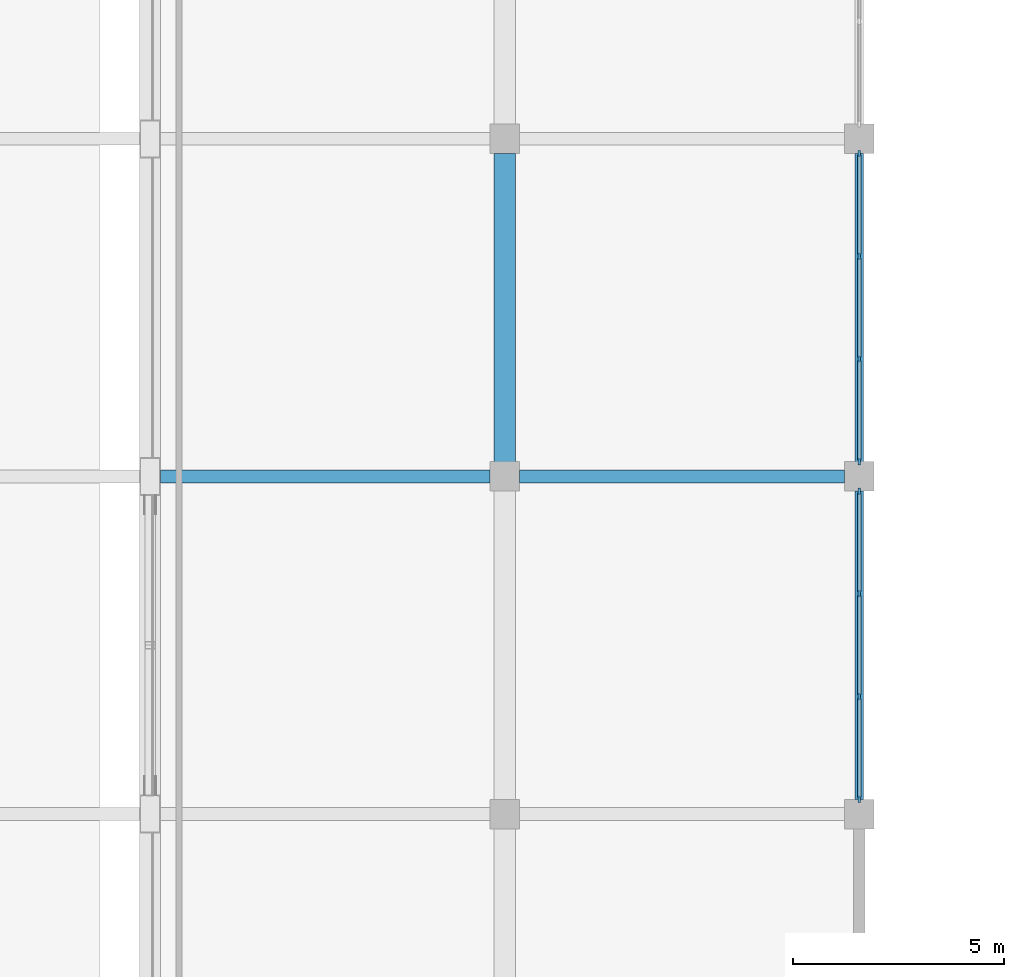
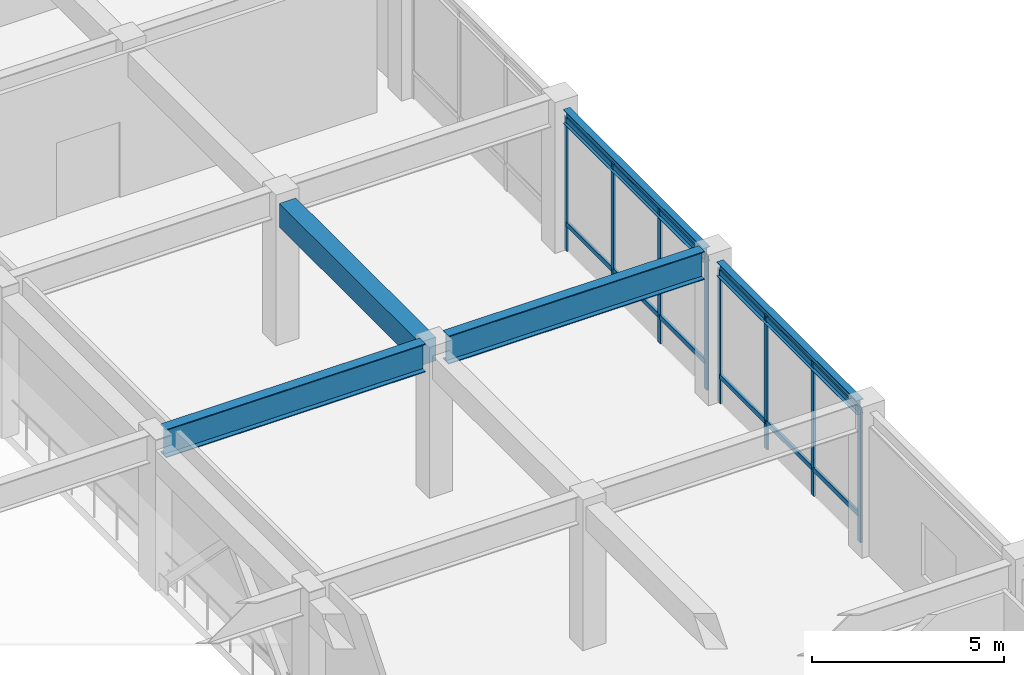
# One storey, part 37 of 76: 20 members, 5 beams, 2 elements without a shape of their own.
"""IFC4 building model written with IfcOpenShell, lengths in metres."""

import ifcopenshell
import ifcopenshell.guid

model = None  # the IFC model being written
_history = None  # IfcOwnerHistory: only IFC2X3 demands one
_inside = {}  # id of a spatial element -> (the spatial element, [elements in it])
_under = {}  # id of a project, library or spatial element -> (it, [spatial elements below it])
_declared = {}  # id of a project -> (the project, [libraries it declares])
_typed = {}  # id of a type object -> (the type object, [elements of that type])
_made_of = {}  # id of a material, layer set ... -> (it, [elements and type objects made of it])


def new_model(schema):
    """Start an empty IFC model of exactly this schema.

    Asked for "IFC4X3", IfcOpenShell would pick the latest addendum, in which some entities
    have other attributes; the version numbers below select the first issue.
    IFC2X3 requires an IfcOwnerHistory on every rooted entity: one is made here for all.
    """
    global model, _history
    if schema == "IFC4X3":
        model = ifcopenshell.file(schema_version=(4, 3, 0, 0))
    else:
        model = ifcopenshell.file(schema=schema)
    _inside.clear()
    _under.clear()
    _declared.clear()
    _typed.clear()
    _made_of.clear()
    _history = None
    if model.schema == "IFC2X3":
        org = make("IfcOrganization", Name="unknown")
        user = make(
            "IfcPersonAndOrganization",
            ThePerson=make("IfcPerson", FamilyName="unknown"),
            TheOrganization=org,
        )
        app = make(
            "IfcApplication",
            ApplicationDeveloper=org,
            Version="unknown",
            ApplicationFullName="unknown",
            ApplicationIdentifier="unknown",
        )
        _history = make(
            "IfcOwnerHistory",
            OwningUser=user,
            OwningApplication=app,
            ChangeAction="ADDED",
            CreationDate=0,
        )
    return model


def make(cls, **values):
    """One entity of the class cls with the attributes given. An attribute that is None is left unset."""
    return model.create_entity(
        cls, **{name: value for name, value in values.items() if value is not None}
    )


def rooted(cls, **values):
    """An entity with a GlobalId (a new one), such as an element, a storey or a relation."""
    return make(cls, GlobalId=ifcopenshell.guid.new(), OwnerHistory=_history, **values)


def si_unit(unit_type, name, prefix=None):
    """IfcSIUnit, for example si_unit("LENGTHUNIT", "METRE", prefix="MILLI")."""
    return make("IfcSIUnit", UnitType=unit_type, Prefix=prefix, Name=name)


def assignment(units):
    """IfcUnitAssignment: the units of a project."""
    return None if units is None else make("IfcUnitAssignment", Units=units)


def point(xyz):
    """IfcCartesianPoint."""
    return None if xyz is None else make("IfcCartesianPoint", Coordinates=xyz)


def direction(xyz):
    """IfcDirection."""
    return None if xyz is None else make("IfcDirection", DirectionRatios=xyz)


def frame(location, z_axis=None, x_axis=None):
    """IfcAxis2Placement3D, a coordinate frame: its origin and axes. An axis left out is left unset."""
    return make(
        "IfcAxis2Placement3D",
        Location=point(location),
        Axis=direction(z_axis),
        RefDirection=direction(x_axis),
    )


def frame_2d(location, x_axis=None):
    """IfcAxis2Placement2D, a coordinate frame in the plane: its origin and x axis."""
    return make(
        "IfcAxis2Placement2D", Location=point(location), RefDirection=direction(x_axis)
    )


def origin():
    """The frame at (0, 0, 0) with its axes left unset."""
    return frame((0.0, 0.0, 0.0))


def origin_2d():
    """The frame at (0, 0) in the plane with its x axis left unset."""
    return frame_2d((0.0, 0.0))


def place(relative_to, where):
    """IfcLocalPlacement: puts the frame where relative to a parent placement (None: the world)."""
    return make(
        "IfcLocalPlacement", PlacementRelTo=relative_to, RelativePlacement=where
    )


def context(
    kind, dimensions, precision=None, world=None, true_north=None, identifier=None
):
    """IfcGeometricRepresentationContext, for example the 3D "Model" context."""
    return make(
        "IfcGeometricRepresentationContext",
        ContextIdentifier=identifier,
        ContextType=kind,
        CoordinateSpaceDimension=dimensions,
        Precision=precision,
        WorldCoordinateSystem=world,
        TrueNorth=true_north,
    )


def subcontext(parent, identifier, kind, view, scale=None):
    """IfcGeometricRepresentationSubContext, for example "Body" below "Model"."""
    return make(
        "IfcGeometricRepresentationSubContext",
        ContextIdentifier=identifier,
        ContextType=kind,
        ParentContext=parent,
        TargetScale=scale,
        TargetView=view,
    )


def project(units=None, contexts=None):
    """IfcProject with its units and contexts."""
    return rooted(
        "IfcProject",
        Name="project",
        RepresentationContexts=contexts,
        UnitsInContext=assignment(units),
    )


def spatial(cls, under=None, at=None, **own):
    """A site, building, storey or space (cls), placed at a placement, below another one or the project."""
    s = rooted(cls, ObjectPlacement=at, **own)
    if under is not None:
        _under.setdefault(under.id(), (under, []))[1].append(s)
    return s


def profile(cls, at=None, kind="AREA", **sizes):
    """A parametric profile (cls). Its sizes go by their IFC names, for example OverallWidth=200.0."""
    return make(cls, ProfileType=kind, Position=at, **sizes)


def rectangle(**sizes):
    """IfcRectangleProfileDef."""
    return profile("IfcRectangleProfileDef", **sizes)


def i_section(**sizes):
    """IfcIShapeProfileDef."""
    return profile("IfcIShapeProfileDef", **sizes)


def extrude(swept, where, along, depth):
    """IfcExtrudedAreaSolid: the profile swept, set in the frame where, extruded along a direction by depth."""
    return make(
        "IfcExtrudedAreaSolid",
        SweptArea=swept,
        Position=where,
        ExtrudedDirection=direction(along),
        Depth=depth,
    )


def shape(context_of_items, identifier, shape_type, items):
    """IfcShapeRepresentation: the items that make up one representation, for example the "Body"."""
    return make(
        "IfcShapeRepresentation",
        ContextOfItems=context_of_items,
        RepresentationIdentifier=identifier,
        RepresentationType=shape_type,
        Items=items,
    )


def material(Name=None, Category=None):
    """IfcMaterial."""
    return make("IfcMaterial", Name=Name, Category=Category)


def layer(
    of_material, thickness, ventilated=None, Name=None, Category=None, Priority=None
):
    """IfcMaterialLayer: one layer of a wall or slab, of a material (None: an air gap)."""
    return make(
        "IfcMaterialLayer",
        Material=of_material,
        LayerThickness=thickness,
        IsVentilated=ventilated,
        Name=Name,
        Category=Category,
        Priority=Priority,
    )


def layer_set(layers, Name=None):
    """IfcMaterialLayerSet."""
    return make("IfcMaterialLayerSet", MaterialLayers=layers, LayerSetName=Name)


def material_profile(
    of_material, cross_section, Name=None, Category=None, Priority=None
):
    """IfcMaterialProfile: a cross section and its material."""
    return make(
        "IfcMaterialProfile",
        Name=Name,
        Material=of_material,
        Profile=cross_section,
        Priority=Priority,
        Category=Category,
    )


def profile_set(profiles, Name=None, composite=None):
    """IfcMaterialProfileSet."""
    return make(
        "IfcMaterialProfileSet",
        Name=Name,
        MaterialProfiles=profiles,
        CompositeProfile=composite,
    )


def made_of(thing, what):
    """Note that an element or type object is made of a material, layer set ...; save() writes the relation."""
    if what is not None:
        _made_of.setdefault(what.id(), (what, []))[1].append(thing)
    return thing


def type_object(cls, material=None, **own):
    """A type object (cls), such as IfcWallType, which elements share."""
    return made_of(rooted(cls, **own), material)


def element(
    cls,
    number,
    at=None,
    inside=None,
    cuts=None,
    type_object=None,
    material=None,
    context=None,
    identifier="Body",
    shape_type=None,
    held_by="IfcProductDefinitionShape",
    body=None,
    shapes=None,
    **own,
):
    """One element of the class cls, such as IfcWall. Its Tag is "e" and its number.

    at: its placement. inside: the storey or other place that contains it. cuts: it is an
    opening in that element (IfcRelVoidsElement). A single representation is given by context,
    identifier, shape_type and body (its items); several are given by shapes. held_by: the class
    of the entity that holds the representations. save() writes the other relations.
    """
    e = rooted(cls, Tag="e%d" % number, ObjectPlacement=at, **own)
    if body is not None:
        shapes = [shape(context, identifier, shape_type, body)]
    if shapes is not None:
        e.Representation = make(held_by, Representations=shapes)
    if inside is not None:
        _inside.setdefault(inside.id(), (inside, []))[1].append(e)
    if cuts is not None:
        rooted(
            "IfcRelVoidsElement", RelatingBuildingElement=cuts, RelatedOpeningElement=e
        )
    if type_object is not None:
        _typed.setdefault(type_object.id(), (type_object, []))[1].append(e)
    return made_of(e, material)


def aggregate(whole, parts):
    """IfcRelAggregates: a whole, such as a stair, and the parts it consists of."""
    return rooted("IfcRelAggregates", RelatingObject=whole, RelatedObjects=parts)


def save(model, path):
    """Write the relations noted so far, then the file.

    IfcRelAggregates (storeys below a building ...), IfcRelContainedInSpatialStructure (elements
    in a storey), IfcRelDefinesByType, IfcRelAssociatesMaterial and IfcRelDeclares: one each for
    every whole, place, type object, material and project.
    """
    for whole, parts in _under.values():
        aggregate(whole, parts)
    for where, things in _inside.values():
        rooted(
            "IfcRelContainedInSpatialStructure",
            RelatedElements=things,
            RelatingStructure=where,
        )
    for kind, things in _typed.values():
        rooted("IfcRelDefinesByType", RelatedObjects=things, RelatingType=kind)
    for what, things in _made_of.values():
        rooted("IfcRelAssociatesMaterial", RelatedObjects=things, RelatingMaterial=what)
    for by, libraries in _declared.values():
        rooted("IfcRelDeclares", RelatingContext=by, RelatedDefinitions=libraries)
    model.write(path)


model = new_model("IFC4")

# Units and contexts
model_context = context("Model", 3, precision=1e-05, world=origin(), true_north=direction((0.0, 1.0)))
body_context = subcontext(model_context, "Body", "Model", "MODEL_VIEW")
ifc_project = project(units=[si_unit("LENGTHUNIT", "METRE"), si_unit("AREAUNIT", "SQUARE_METRE"), si_unit("VOLUMEUNIT", "CUBIC_METRE"), si_unit("PLANEANGLEUNIT", "RADIAN"), si_unit("MASSUNIT", "GRAM", prefix="KILO")], contexts=[model_context])

# Site, building, storey
site_placement = place(None, origin())
site = spatial("IfcSite", under=ifc_project, at=site_placement, CompositionType="ELEMENT")
building_placement = place(site_placement, origin())
building = spatial("IfcBuilding", under=site, at=building_placement, Name="Naruveol Harbour Congress Hotel", CompositionType="ELEMENT")
storey_placement = place(building_placement, frame((0.0, 0.0, 11.39990234375)))
storey = spatial("IfcBuildingStorey", under=building, at=storey_placement, Name="L02", CompositionType="ELEMENT", Elevation=11.39990234375)

# Beams
ifc_material_1 = material(Name="Concrete C40/50", Category="concrete")
ifc_material_profile_1 = material_profile(ifc_material_1, rectangle(XDim=0.5, YDim=0.75, at=origin_2d()), Name="RCB-500x750")
ifc_profile_set_1 = profile_set([ifc_material_profile_1], Name="Concrete C40/50")
beam_type_1 = type_object("IfcBeamType", Name="RC FLOOR GIRDER 500X750", PredefinedType="BEAM", material=ifc_profile_set_1)
beam_1_placement = place(storey_placement, frame((117.60009765625, 88.345947265625, 4.125), z_axis=(0.0, 1.0, 0.0), x_axis=(-1.0, 0.0, 0.0)))
element("IfcBeam", 1, at=beam_1_placement, inside=storey, type_object=beam_type_1, Name="Transverse girder L03 CB3", PredefinedType="BEAM", context=body_context, shape_type="SweptSolid", body=[
    extrude(rectangle(XDim=0.5, YDim=0.75, at=origin_2d()), origin(), (0.0, 0.0, 1.0), 7.30810546875),
])
ifc_material_2 = material(Name="Steel SN490", Category="steel")
ifc_material_profile_2 = material_profile(ifc_material_2, i_section(OverallWidth=0.300048828125, OverallDepth=0.89990234375, WebThickness=0.01611328125, FlangeThickness=0.028076171875, at=origin_2d()), Name="H-900x300x16x28")
ifc_profile_set_2 = profile_set([ifc_material_profile_2], Name="Steel SN490")
beam_type_2 = type_object("IfcBeamType", Name="STEEL BALLROOM GABLE GIRDER H900", PredefinedType="BEAM", material=ifc_profile_set_2)
beam_2_placement = place(storey_placement, frame((109.446044921875, 88.0, 4.35009765625), z_axis=(1.0, 0.0, 0.0), x_axis=(0.0, 1.0, 0.0)))
element("IfcBeam", 2, at=beam_2_placement, inside=storey, type_object=beam_type_2, Name="Ballroom east gallery tie girder BG1", PredefinedType="BEAM", context=body_context, shape_type="SweptSolid", body=[
    extrude(i_section(OverallWidth=0.300048828125, OverallDepth=0.89990234375, WebThickness=0.01611328125, FlangeThickness=0.028076171875, at=origin_2d()), origin(), (0.0, 0.0, 1.0), 7.807861328125),
])
beam_3_placement = place(storey_placement, frame((117.946044921875, 88.0, 4.35009765625), z_axis=(1.0, 0.0, 0.0), x_axis=(0.0, 1.0, 0.0)))
element("IfcBeam", 3, at=beam_3_placement, inside=storey, type_object=beam_type_2, Name="Ballroom east bay tie girder BG1", PredefinedType="BEAM", context=body_context, shape_type="SweptSolid", body=[
    extrude(i_section(OverallWidth=0.300048828125, OverallDepth=0.89990234375, WebThickness=0.01611328125, FlangeThickness=0.028076171875, at=origin_2d()), origin(), (0.0, 0.0, 1.0), 7.7080078125),
])
ifc_material_3 = material(Name="Steel SN490", Category="steel")
ifc_material_profile_3 = material_profile(ifc_material_3, i_section(OverallWidth=0.199951171875, OverallDepth=0.449951171875, WebThickness=0.009033203125, FlangeThickness=0.013916015625, at=origin_2d()), Name="H-450x200x9x14")
ifc_profile_set_3 = profile_set([ifc_material_profile_3], Name="Steel SN490")
beam_type_3 = type_object("IfcBeamType", Name="STEEL SPANDREL EDGE BEAM H450", PredefinedType="SPANDREL", material=ifc_profile_set_3)
for number, where, z_axis, x_axis, name in (
    (4, (126.0, 80.345947265625, 4.275146484375), (0.0, 1.0, 0.0), (-1.0, 0.0, 0.0), "Transverse girder L03 SPB2"),
    (5, (126.0, 88.345947265625, 4.275146484375), (0.0, 1.0, 0.0), (-1.0, 0.0, 0.0), "Transverse girder L03 SPB2"),
):
    element("IfcBeam", number, at=place(storey_placement, frame(where, z_axis=z_axis, x_axis=x_axis)), inside=storey, type_object=beam_type_3, Name=name, PredefinedType="SPANDREL", context=body_context, shape_type="SweptSolid", body=[
        extrude(i_section(OverallWidth=0.199951171875, OverallDepth=0.449951171875, WebThickness=0.009033203125, FlangeThickness=0.013916015625, at=origin_2d()), origin(), (0.0, 0.0, 1.0), 7.30810546875),
    ])

# Curtain wall, members
ifc_material_4 = material(Name="Low-E Curtain Wall System", Category="glass")
ifc_layer = layer(ifc_material_4, 0.179931640625)
ifc_layer_set = layer_set([ifc_layer], Name="Low-E Curtain Wall System")
curtain_wall_type = type_object("IfcCurtainWallType", Name="UNITISED CURTAIN WALL CW-V2E-24 7300X4250", PredefinedType="USERDEFINED", material=ifc_layer_set)
curtain_wall_1_placement = place(storey_placement, origin())
curtain_wall_1 = element("IfcCurtainWall", 6, at=curtain_wall_1_placement, inside=storey, type_object=curtain_wall_type, Name="Unitised curtain wall CW-V2E-24 L02", ObjectType="UNITISED GLAZING", PredefinedType="USERDEFINED")
ifc_material_5 = material(Name="Anodised Aluminium 6063-T6", Category="aluminium")
ifc_material_profile_4 = material_profile(ifc_material_5, rectangle(XDim=0.06494140625, YDim=0.14990234375, at=origin_2d()), Name="ALU-65x150")
ifc_profile_set_4 = profile_set([ifc_material_profile_4], Name="Anodised Aluminium 6063-T6")
member_type_1 = type_object("IfcMemberType", Name="THERMAL ALUMINIUM MULLION 65X150", PredefinedType="MULLION", material=ifc_profile_set_4)
member_1_placement = place(storey_placement, frame((126.0, 87.64990234375, 0.0), z_axis=(0.0, 0.0, 1.0), x_axis=(1.0, 0.0, 0.0)))
member_1 = element("IfcMember", 7, at=member_1_placement, type_object=member_type_1, Name="Curtain wall mullion CW-L02-0049-M0", PredefinedType="MULLION", context=body_context, shape_type="SweptSolid", body=[
    extrude(rectangle(XDim=0.06494140625, YDim=0.14990234375, at=origin_2d()), origin(), (0.0, 0.0, 1.0), 4.25),
])
member_2_placement = place(storey_placement, frame((126.0, 85.216796875, 0.0), z_axis=(0.0, 0.0, 1.0), x_axis=(1.0, 0.0, 0.0)))
member_2 = element("IfcMember", 8, at=member_2_placement, type_object=member_type_1, Name="Curtain wall mullion CW-L02-0049-M1", PredefinedType="MULLION", context=body_context, shape_type="SweptSolid", body=[
    extrude(rectangle(XDim=0.06494140625, YDim=0.14990234375, at=origin_2d()), origin(), (0.0, 0.0, 1.0), 4.25),
])
member_3_placement = place(storey_placement, frame((126.0, 82.783203125, 0.0), z_axis=(0.0, 0.0, 1.0), x_axis=(1.0, 0.0, 0.0)))
member_3 = element("IfcMember", 9, at=member_3_placement, type_object=member_type_1, Name="Curtain wall mullion CW-L02-0049-M2", PredefinedType="MULLION", context=body_context, shape_type="SweptSolid", body=[
    extrude(rectangle(XDim=0.06494140625, YDim=0.14990234375, at=origin_2d()), origin(), (0.0, 0.0, 1.0), 4.25),
])
member_4_placement = place(storey_placement, frame((126.0, 80.35009765625, 0.0), z_axis=(0.0, 0.0, 1.0), x_axis=(1.0, 0.0, 0.0)))
member_4 = element("IfcMember", 10, at=member_4_placement, type_object=member_type_1, Name="Curtain wall mullion CW-L02-0049-M3", PredefinedType="MULLION", context=body_context, shape_type="SweptSolid", body=[
    extrude(rectangle(XDim=0.06494140625, YDim=0.14990234375, at=origin_2d()), origin(), (0.0, 0.0, 1.0), 4.25),
])

curtain_wall_2_placement = place(storey_placement, origin())
curtain_wall_2 = element("IfcCurtainWall", 11, at=curtain_wall_2_placement, inside=storey, type_object=curtain_wall_type, Name="Unitised curtain wall CW-V2E-24 L02", ObjectType="UNITISED GLAZING", PredefinedType="USERDEFINED")
member_5_placement = place(storey_placement, frame((126.0, 95.64990234375, 0.0), z_axis=(0.0, 0.0, 1.0), x_axis=(1.0, 0.0, 0.0)))
member_5 = element("IfcMember", 12, at=member_5_placement, type_object=member_type_1, Name="Curtain wall mullion CW-L02-0050-M0", PredefinedType="MULLION", context=body_context, shape_type="SweptSolid", body=[
    extrude(rectangle(XDim=0.06494140625, YDim=0.14990234375, at=origin_2d()), origin(), (0.0, 0.0, 1.0), 4.25),
])
member_6_placement = place(storey_placement, frame((126.0, 93.216796875, 0.0), z_axis=(0.0, 0.0, 1.0), x_axis=(1.0, 0.0, 0.0)))
member_6 = element("IfcMember", 13, at=member_6_placement, type_object=member_type_1, Name="Curtain wall mullion CW-L02-0050-M1", PredefinedType="MULLION", context=body_context, shape_type="SweptSolid", body=[
    extrude(rectangle(XDim=0.06494140625, YDim=0.14990234375, at=origin_2d()), origin(), (0.0, 0.0, 1.0), 4.25),
])
member_7_placement = place(storey_placement, frame((126.0, 90.783203125, 0.0), z_axis=(0.0, 0.0, 1.0), x_axis=(1.0, 0.0, 0.0)))
member_7 = element("IfcMember", 14, at=member_7_placement, type_object=member_type_1, Name="Curtain wall mullion CW-L02-0050-M2", PredefinedType="MULLION", context=body_context, shape_type="SweptSolid", body=[
    extrude(rectangle(XDim=0.06494140625, YDim=0.14990234375, at=origin_2d()), origin(), (0.0, 0.0, 1.0), 4.25),
])
member_8_placement = place(storey_placement, frame((126.0, 88.35009765625, 0.0), z_axis=(0.0, 0.0, 1.0), x_axis=(1.0, 0.0, 0.0)))
member_8 = element("IfcMember", 15, at=member_8_placement, type_object=member_type_1, Name="Curtain wall mullion CW-L02-0050-M3", PredefinedType="MULLION", context=body_context, shape_type="SweptSolid", body=[
    extrude(rectangle(XDim=0.06494140625, YDim=0.14990234375, at=origin_2d()), origin(), (0.0, 0.0, 1.0), 4.25),
])

# Member
ifc_material_6 = material(Name="Anodised Aluminium 6063-T6", Category="aluminium")
ifc_material_profile_5 = material_profile(ifc_material_6, rectangle(XDim=0.074951171875, YDim=0.14990234375, at=origin_2d()), Name="ALU-75x150")
ifc_profile_set_5 = profile_set([ifc_material_profile_5], Name="Anodised Aluminium 6063-T6")
member_type_2 = type_object("IfcMemberType", Name="THERMAL ALUMINIUM TRANSOM 75X150", PredefinedType="USERDEFINED", material=ifc_profile_set_5)
member_9_placement = place(storey_placement, frame((126.0, 87.610107421875, 0.85009765625), z_axis=(0.0, -1.0, 0.0), x_axis=(1.0, 0.0, 0.0)))
member_9 = element("IfcMember", 16, at=member_9_placement, type_object=member_type_2, Name="Curtain wall transom CW-L02-0049-T0.1", ObjectType="TRANSOM", PredefinedType="USERDEFINED", context=body_context, shape_type="SweptSolid", body=[
    extrude(rectangle(XDim=0.074951171875, YDim=0.14990234375, at=origin_2d()), origin(), (0.0, 0.0, 1.0), 2.353515625),
])

member_10_placement = place(storey_placement, frame((126.0, 87.610107421875, 4.170166015625), z_axis=(0.0, -1.0, 0.0), x_axis=(1.0, 0.0, 0.0)))
member_10 = element("IfcMember", 17, at=member_10_placement, type_object=member_type_2, Name="Curtain wall transom CW-L02-0049-T0.2", ObjectType="TRANSOM", PredefinedType="USERDEFINED", context=body_context, shape_type="SweptSolid", body=[
    extrude(rectangle(XDim=0.074951171875, YDim=0.14990234375, at=origin_2d()), origin(), (0.0, 0.0, 1.0), 2.353515625),
])

member_11_placement = place(storey_placement, frame((126.0, 85.1767578125, 0.85009765625), z_axis=(0.0, -1.0, 0.0), x_axis=(1.0, 0.0, 0.0)))
member_11 = element("IfcMember", 18, at=member_11_placement, type_object=member_type_2, Name="Curtain wall transom CW-L02-0049-T1.1", ObjectType="TRANSOM", PredefinedType="USERDEFINED", context=body_context, shape_type="SweptSolid", body=[
    extrude(rectangle(XDim=0.074951171875, YDim=0.14990234375, at=origin_2d()), origin(), (0.0, 0.0, 1.0), 2.353515625),
])

member_12_placement = place(storey_placement, frame((126.0, 85.1767578125, 4.170166015625), z_axis=(0.0, -1.0, 0.0), x_axis=(1.0, 0.0, 0.0)))
member_12 = element("IfcMember", 19, at=member_12_placement, type_object=member_type_2, Name="Curtain wall transom CW-L02-0049-T1.2", ObjectType="TRANSOM", PredefinedType="USERDEFINED", context=body_context, shape_type="SweptSolid", body=[
    extrude(rectangle(XDim=0.074951171875, YDim=0.14990234375, at=origin_2d()), origin(), (0.0, 0.0, 1.0), 2.353515625),
])

member_13_placement = place(storey_placement, frame((126.0, 82.743408203125, 0.85009765625), z_axis=(0.0, -1.0, 0.0), x_axis=(1.0, 0.0, 0.0)))
member_13 = element("IfcMember", 20, at=member_13_placement, type_object=member_type_2, Name="Curtain wall transom CW-L02-0049-T2.1", ObjectType="TRANSOM", PredefinedType="USERDEFINED", context=body_context, shape_type="SweptSolid", body=[
    extrude(rectangle(XDim=0.074951171875, YDim=0.14990234375, at=origin_2d()), origin(), (0.0, 0.0, 1.0), 2.353515625),
])

member_14_placement = place(storey_placement, frame((126.0, 82.743408203125, 4.170166015625), z_axis=(0.0, -1.0, 0.0), x_axis=(1.0, 0.0, 0.0)))
member_14 = element("IfcMember", 21, at=member_14_placement, type_object=member_type_2, Name="Curtain wall transom CW-L02-0049-T2.2", ObjectType="TRANSOM", PredefinedType="USERDEFINED", context=body_context, shape_type="SweptSolid", body=[
    extrude(rectangle(XDim=0.074951171875, YDim=0.14990234375, at=origin_2d()), origin(), (0.0, 0.0, 1.0), 2.353515625),
])

aggregate(curtain_wall_1, [member_1, member_2, member_3, member_4, member_9, member_10, member_11, member_12, member_13, member_14])

member_15_placement = place(storey_placement, frame((126.0, 95.610107421875, 0.85009765625), z_axis=(0.0, -1.0, 0.0), x_axis=(1.0, 0.0, 0.0)))
member_15 = element("IfcMember", 22, at=member_15_placement, type_object=member_type_2, Name="Curtain wall transom CW-L02-0050-T0.1", ObjectType="TRANSOM", PredefinedType="USERDEFINED", context=body_context, shape_type="SweptSolid", body=[
    extrude(rectangle(XDim=0.074951171875, YDim=0.14990234375, at=origin_2d()), origin(), (0.0, 0.0, 1.0), 2.353515625),
])

member_16_placement = place(storey_placement, frame((126.0, 95.610107421875, 4.170166015625), z_axis=(0.0, -1.0, 0.0), x_axis=(1.0, 0.0, 0.0)))
member_16 = element("IfcMember", 23, at=member_16_placement, type_object=member_type_2, Name="Curtain wall transom CW-L02-0050-T0.2", ObjectType="TRANSOM", PredefinedType="USERDEFINED", context=body_context, shape_type="SweptSolid", body=[
    extrude(rectangle(XDim=0.074951171875, YDim=0.14990234375, at=origin_2d()), origin(), (0.0, 0.0, 1.0), 2.353515625),
])

member_17_placement = place(storey_placement, frame((126.0, 93.1767578125, 0.85009765625), z_axis=(0.0, -1.0, 0.0), x_axis=(1.0, 0.0, 0.0)))
member_17 = element("IfcMember", 24, at=member_17_placement, type_object=member_type_2, Name="Curtain wall transom CW-L02-0050-T1.1", ObjectType="TRANSOM", PredefinedType="USERDEFINED", context=body_context, shape_type="SweptSolid", body=[
    extrude(rectangle(XDim=0.074951171875, YDim=0.14990234375, at=origin_2d()), origin(), (0.0, 0.0, 1.0), 2.353515625),
])

member_18_placement = place(storey_placement, frame((126.0, 93.1767578125, 4.170166015625), z_axis=(0.0, -1.0, 0.0), x_axis=(1.0, 0.0, 0.0)))
member_18 = element("IfcMember", 25, at=member_18_placement, type_object=member_type_2, Name="Curtain wall transom CW-L02-0050-T1.2", ObjectType="TRANSOM", PredefinedType="USERDEFINED", context=body_context, shape_type="SweptSolid", body=[
    extrude(rectangle(XDim=0.074951171875, YDim=0.14990234375, at=origin_2d()), origin(), (0.0, 0.0, 1.0), 2.353515625),
])

member_19_placement = place(storey_placement, frame((126.0, 90.743408203125, 0.85009765625), z_axis=(0.0, -1.0, 0.0), x_axis=(1.0, 0.0, 0.0)))
member_19 = element("IfcMember", 26, at=member_19_placement, type_object=member_type_2, Name="Curtain wall transom CW-L02-0050-T2.1", ObjectType="TRANSOM", PredefinedType="USERDEFINED", context=body_context, shape_type="SweptSolid", body=[
    extrude(rectangle(XDim=0.074951171875, YDim=0.14990234375, at=origin_2d()), origin(), (0.0, 0.0, 1.0), 2.353515625),
])

member_20_placement = place(storey_placement, frame((126.0, 90.743408203125, 4.170166015625), z_axis=(0.0, -1.0, 0.0), x_axis=(1.0, 0.0, 0.0)))
member_20 = element("IfcMember", 27, at=member_20_placement, type_object=member_type_2, Name="Curtain wall transom CW-L02-0050-T2.2", ObjectType="TRANSOM", PredefinedType="USERDEFINED", context=body_context, shape_type="SweptSolid", body=[
    extrude(rectangle(XDim=0.074951171875, YDim=0.14990234375, at=origin_2d()), origin(), (0.0, 0.0, 1.0), 2.353515625),
])

aggregate(curtain_wall_2, [member_5, member_6, member_7, member_8, member_15, member_16, member_17, member_18, member_19, member_20])

save(model, "model.ifc")
